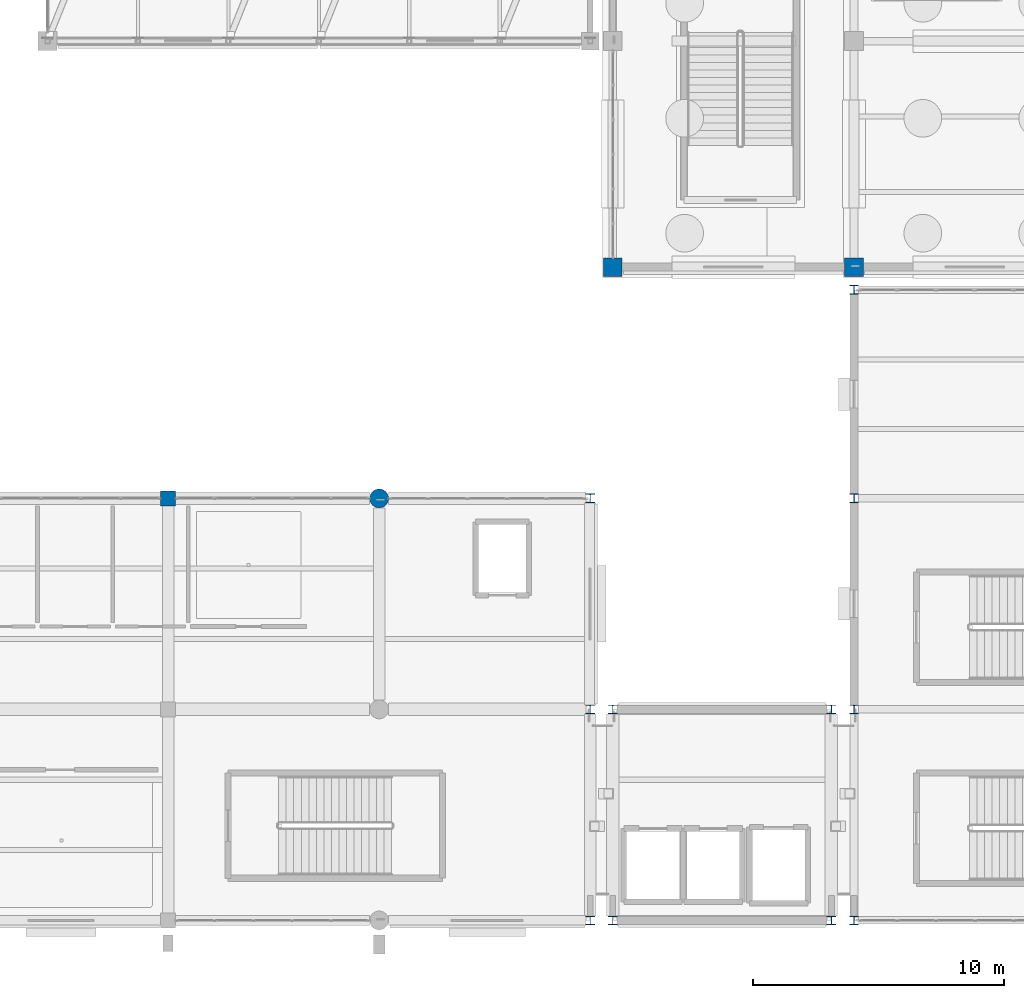
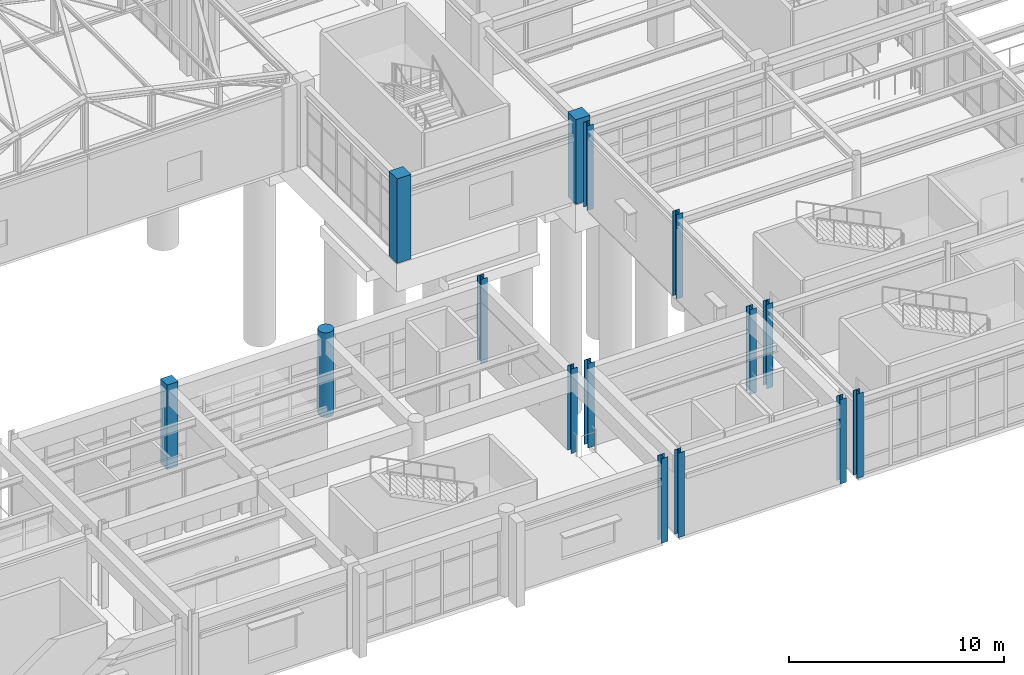
# One storey, part 5 of 139: 15 columns.
"""IFC4 building model written with IfcOpenShell, lengths in metres."""

from ifc_helpers import new_model, si_unit, direction, frame, origin, origin_2d, place, context, subcontext, project, spatial, rectangle, circle, i_section, extrude, material, material_profile, profile_set, type_object, element, save


model = new_model("IFC4")

# Units and contexts
model_context = context("Model", 3, precision=1e-05, world=origin(), true_north=direction((0.0, 1.0)))
body_context = subcontext(model_context, "Body", "Model", "MODEL_VIEW")
ifc_project = project(units=[si_unit("LENGTHUNIT", "METRE"), si_unit("AREAUNIT", "SQUARE_METRE"), si_unit("VOLUMEUNIT", "CUBIC_METRE"), si_unit("PLANEANGLEUNIT", "RADIAN"), si_unit("MASSUNIT", "GRAM", prefix="KILO")], contexts=[model_context])

# Site, building, storey
site_placement = place(None, origin())
site = spatial("IfcSite", under=ifc_project, at=site_placement, CompositionType="ELEMENT")
building_placement = place(site_placement, origin())
building = spatial("IfcBuilding", under=site, at=building_placement, Name="Canglan Escarpment Cableway Terminal", CompositionType="ELEMENT")
storey_placement = place(building_placement, frame((0.0, 0.0, 14.39990234375)))
storey = spatial("IfcBuildingStorey", under=building, at=storey_placement, Name="L03", CompositionType="ELEMENT", Elevation=14.39990234375)

# Columns
ifc_material_1 = material(Name="Steel Q355C", Category="steel")
ifc_material_profile_1 = material_profile(ifc_material_1, i_section(OverallWidth=0.35009765625, OverallDepth=0.35009765625, WebThickness=0.011962890625, FlangeThickness=0.01904296875, FilletRadius=0.02001953125, at=origin_2d()), Name="HW 350x350x12x19")
ifc_profile_set_1 = profile_set([ifc_material_profile_1], Name="Steel Q355C")
column_type_1 = type_object("IfcColumnType", Name="COL-HW350-Q355C", PredefinedType="COLUMN", material=ifc_profile_set_1)
for number, where, z_axis, x_axis, name in (
    (1, (136.699951171875, 8.0, 0.0), (0.0, 0.0, 1.0), (1.0, 0.0, 0.0), "Structural column C-09"),
    (2, (136.699951171875, 16.39990234375, 0.0), (0.0, 0.0, 1.0), (1.0, 0.0, 0.0), "Structural column C-09"),
    (3, (136.699951171875, 24.800048828125, 0.0), (0.0, 0.0, 1.0), (1.0, 0.0, 0.0), "Structural column C-09"),
    (4, (137.60009765625, 8.0, 0.0), (0.0, 0.0, 1.0), (1.0, 0.0, 0.0), "Structural column C-09"),
    (5, (137.60009765625, 16.39990234375, 0.0), (0.0, 0.0, 1.0), (1.0, 0.0, 0.0), "Structural column C-09"),
    (6, (146.300048828125, 8.0, 0.0), (0.0, 0.0, 1.0), (1.0, 0.0, 0.0), "Structural column C-09"),
    (7, (146.300048828125, 16.39990234375, 0.0), (0.0, 0.0, 1.0), (1.0, 0.0, 0.0), "Structural column C-09"),
    (8, (147.199951171875, 8.0, 0.0), (0.0, 0.0, 1.0), (1.0, 0.0, 0.0), "Structural column C-09"),
    (9, (147.199951171875, 16.39990234375, 0.0), (0.0, 0.0, 1.0), (1.0, 0.0, 0.0), "Structural column C-09"),
    (10, (147.199951171875, 24.800048828125, 0.0), (0.0, 0.0, 1.0), (1.0, 0.0, 0.0), "Structural column C-09"),
    (11, (147.199951171875, 33.10009765625, 0.0), (0.0, 0.0, 1.0), (1.0, 0.0, 0.0), "Structural column C-09"),
):
    element("IfcColumn", number, at=place(storey_placement, frame(where, z_axis=z_axis, x_axis=x_axis)), inside=storey, type_object=column_type_1, Name=name, PredefinedType="COLUMN", context=body_context, shape_type="SweptSolid", body=[
        extrude(i_section(OverallWidth=0.35009765625, OverallDepth=0.35009765625, WebThickness=0.011962890625, FlangeThickness=0.01904296875, FilletRadius=0.02001953125, at=origin_2d()), origin(), (0.0, 0.0, 1.0), 4.800048828125),
    ])
ifc_material_2 = material(Name="Concrete C40", Category="concrete")
ifc_material_profile_2 = material_profile(ifc_material_2, rectangle(XDim=0.60009765625, YDim=0.60009765625, at=origin_2d()), Name="RC 600x600")
ifc_profile_set_2 = profile_set([ifc_material_profile_2], Name="Concrete C40")
column_type_2 = type_object("IfcColumnType", Name="COL-RC600-C40", PredefinedType="COLUMN", material=ifc_profile_set_2)
column_1_placement = place(storey_placement, frame((119.89990234375, 24.800048828125, 0.0), z_axis=(0.0, 0.0, 1.0), x_axis=(1.0, 0.0, 0.0)))
element("IfcColumn", 12, at=column_1_placement, inside=storey, type_object=column_type_2, Name="Structural column C-05", PredefinedType="COLUMN", context=body_context, shape_type="SweptSolid", body=[
    extrude(rectangle(XDim=0.60009765625, YDim=0.60009765625, at=origin_2d()), origin(), (0.0, 0.0, 1.0), 4.800048828125),
])
ifc_material_profile_3 = material_profile(ifc_material_2, rectangle(XDim=0.75, YDim=0.75, at=origin_2d()), Name="RC 750x750")
ifc_profile_set_3 = profile_set([ifc_material_profile_3], Name="Concrete C40")
column_type_3 = type_object("IfcColumnType", Name="COL-RC750-C40", PredefinedType="COLUMN", material=ifc_profile_set_3)
for number, where, z_axis, x_axis, name in (
    (13, (137.60009765625, 34.0, 0.0), (0.0, 0.0, 1.0), (1.0, 0.0, 0.0), "Structural column C-03"),
    (14, (147.199951171875, 34.0, 0.0), (0.0, 0.0, 1.0), (1.0, 0.0, 0.0), "Structural column C-03"),
):
    element("IfcColumn", number, at=place(storey_placement, frame(where, z_axis=z_axis, x_axis=x_axis)), inside=storey, type_object=column_type_3, Name=name, PredefinedType="COLUMN", context=body_context, shape_type="SweptSolid", body=[
        extrude(rectangle(XDim=0.75, YDim=0.75, at=origin_2d()), origin(), (0.0, 0.0, 1.0), 4.800048828125),
    ])
ifc_material_profile_4 = material_profile(ifc_material_2, circle(Radius=0.375, at=origin_2d()), Name="RC-CIRC D750")
ifc_profile_set_4 = profile_set([ifc_material_profile_4], Name="Concrete C40")
column_type_4 = type_object("IfcColumnType", Name="COL-RCC750-C40", PredefinedType="COLUMN", material=ifc_profile_set_4)
column_2_placement = place(storey_placement, frame((128.300048828125, 24.800048828125, 0.0), z_axis=(0.0, 0.0, 1.0), x_axis=(1.0, 0.0, 0.0)))
element("IfcColumn", 15, at=column_2_placement, inside=storey, type_object=column_type_4, Name="Structural column C-07", PredefinedType="COLUMN", context=body_context, shape_type="SweptSolid", body=[
    extrude(circle(Radius=0.375, at=origin_2d()), origin(), (0.0, 0.0, 1.0), 4.800048828125),
])

save(model, "model.ifc")
